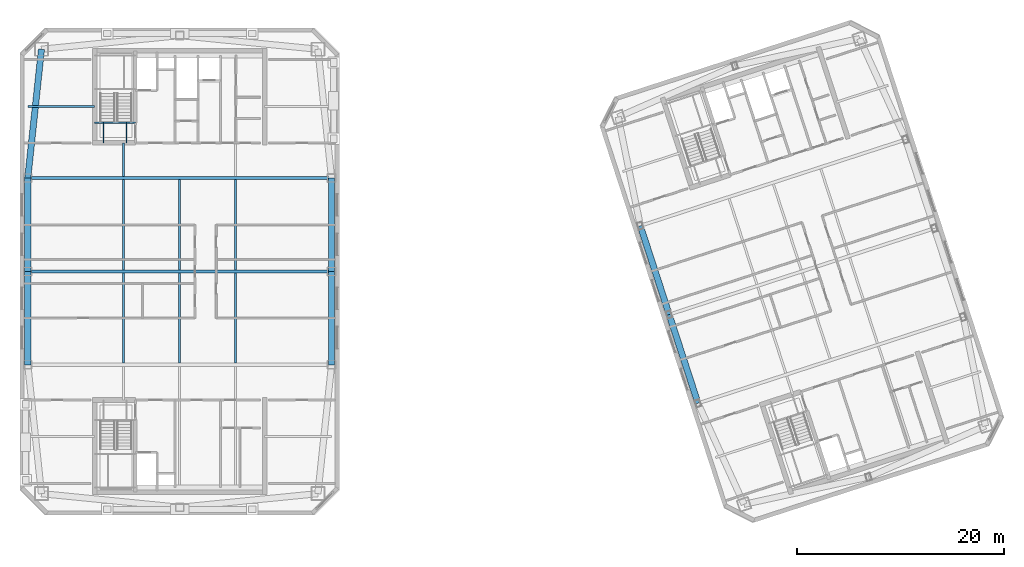
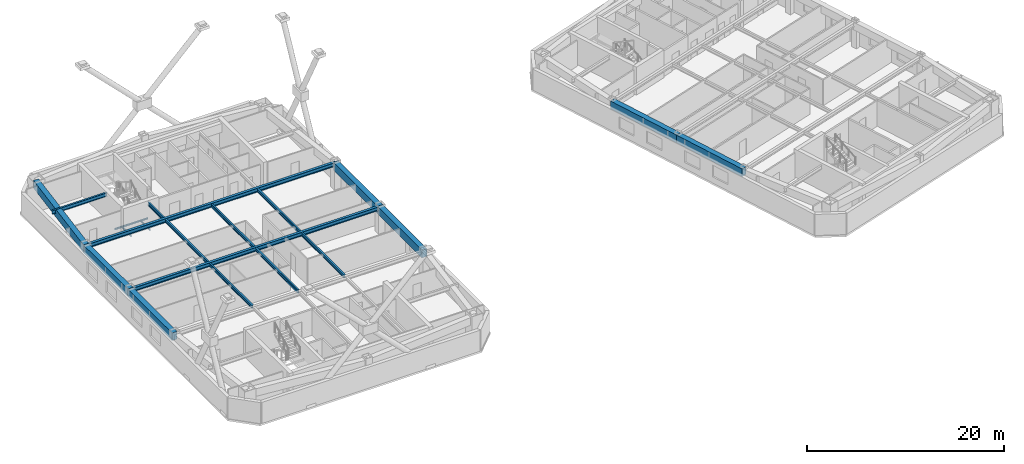
# One storey, part 5 of 20: 20 beams.
"""IFC4 building model written with IfcOpenShell, lengths in metres."""

from ifc_helpers import new_model, si_unit, direction, frame, origin, origin_2d, place, context, subcontext, project, spatial, rectangle, i_section, extrude, material, material_profile, profile_set, type_object, element, save


model = new_model("IFC4")

# Units and contexts
model_context = context("Model", 3, precision=1e-05, world=origin(), true_north=direction((0.0, 1.0)))
body_context = subcontext(model_context, "Body", "Model", "MODEL_VIEW")
ifc_project = project(units=[si_unit("LENGTHUNIT", "METRE"), si_unit("AREAUNIT", "SQUARE_METRE"), si_unit("VOLUMEUNIT", "CUBIC_METRE"), si_unit("PLANEANGLEUNIT", "RADIAN"), si_unit("MASSUNIT", "GRAM", prefix="KILO")], contexts=[model_context])

# Site, building, storey
site_placement = place(None, origin())
site = spatial("IfcSite", under=ifc_project, at=site_placement, CompositionType="ELEMENT")
building_placement = place(site_placement, origin())
building = spatial("IfcBuilding", under=site, at=building_placement, Name="Qiaolan Cultural Towers", CompositionType="ELEMENT")
storey_placement = place(building_placement, frame((0.0, 0.0, 223.10009765625)))
storey = spatial("IfcBuildingStorey", under=building, at=storey_placement, Name="L60", CompositionType="ELEMENT", Elevation=223.10009765625)

# Beams
ifc_material_1 = material(Name="Steel Q355B", Category="steel")
ifc_material_profile_1 = material_profile(ifc_material_1, i_section(OverallWidth=0.300048828125, OverallDepth=0.488037109375, WebThickness=0.010986328125, FlangeThickness=0.01806640625, at=origin_2d()), Name="HM488x300x11x18")
ifc_profile_set_1 = profile_set([ifc_material_profile_1], Name="Steel Q355B")
beam_type_1 = type_object("IfcBeamType", Name="BM-HM488x300x11x18", PredefinedType="BEAM", material=ifc_profile_set_1)
for number, where, z_axis, x_axis, name in (
    (1, (15.35009765625, 34.0, 2.94580078125), (1.0, 0.0, 0.0), (0.0, 1.0, 0.0), "L60 T1 Primary Transverse Girder V2"),
    (2, (15.35009765625, 43.0, 2.94580078125), (1.0, 0.0, 0.0), (0.0, 1.0, 0.0), "L60 T1 Primary Transverse Girder V3"),
):
    element("IfcBeam", number, at=place(storey_placement, frame(where, z_axis=z_axis, x_axis=x_axis)), inside=storey, type_object=beam_type_1, Name=name, PredefinedType="BEAM", context=body_context, shape_type="SweptSolid", body=[
        extrude(i_section(OverallWidth=0.300048828125, OverallDepth=0.488037109375, WebThickness=0.010986328125, FlangeThickness=0.01806640625, at=origin_2d()), origin(), (0.0, 0.0, 1.0), 29.2998046875),
    ])
ifc_material_2 = material(Name="Steel Q355B", Category="steel")
ifc_material_profile_2 = material_profile(ifc_material_2, i_section(OverallWidth=0.199951171875, OverallDepth=0.39990234375, WebThickness=0.008056640625, FlangeThickness=0.012939453125, at=origin_2d()), Name="HN400x200x8x13")
ifc_profile_set_2 = profile_set([ifc_material_profile_2], Name="Steel Q355B")
beam_type_2 = type_object("IfcBeamType", Name="BM-JST-HN400x200x8x13", PredefinedType="JOIST", material=ifc_profile_set_2)
for number, where, z_axis, x_axis, name in (
    (3, (24.60009765625, 25.14990234375, 2.989990234375), (0.0, 1.0, 0.0), (-1.0, 0.0, 0.0), "L60 T1 Secondary Floor Joist U1-2"),
    (4, (24.60009765625, 34.14990234375, 2.989990234375), (0.0, 1.0, 0.0), (-1.0, 0.0, 0.0), "L60 T1 Secondary Floor Joist U1-3"),
):
    element("IfcBeam", number, at=place(storey_placement, frame(where, z_axis=z_axis, x_axis=x_axis)), inside=storey, type_object=beam_type_2, Name=name, PredefinedType="JOIST", context=body_context, shape_type="SweptSolid", body=[
        extrude(i_section(OverallWidth=0.199951171875, OverallDepth=0.39990234375, WebThickness=0.008056640625, FlangeThickness=0.012939453125, at=origin_2d()), origin(), (0.0, 0.0, 1.0), 8.7001953125),
    ])
beam_1_placement = place(storey_placement, frame((24.60009765625, 43.14990234375, 2.989990234375), z_axis=(0.0, 1.0, 0.0), x_axis=(-1.0, 0.0, 0.0)))
element("IfcBeam", 5, at=beam_1_placement, inside=storey, type_object=beam_type_2, Name="L60 T1 Secondary Floor Joist U1-4", PredefinedType="JOIST", context=body_context, shape_type="SweptSolid", body=[
    extrude(i_section(OverallWidth=0.199951171875, OverallDepth=0.39990234375, WebThickness=0.008056640625, FlangeThickness=0.012939453125, at=origin_2d()), origin(), (0.0, 0.0, 1.0), 3.25),
])
for number, where, z_axis, x_axis, name in (
    (6, (30.0, 25.14990234375, 2.989990234375), (0.0, 1.0, 0.0), (-1.0, 0.0, 0.0), "L60 T1 Secondary Floor Joist U2-2"),
    (7, (30.0, 34.14990234375, 2.989990234375), (0.0, 1.0, 0.0), (-1.0, 0.0, 0.0), "L60 T1 Secondary Floor Joist U2-3"),
    (8, (35.39990234375, 25.14990234375, 2.989990234375), (0.0, 1.0, 0.0), (-1.0, 0.0, 0.0), "L60 T1 Secondary Floor Joist U3-2"),
    (9, (35.39990234375, 34.14990234375, 2.989990234375), (0.0, 1.0, 0.0), (-1.0, 0.0, 0.0), "L60 T1 Secondary Floor Joist U3-3"),
):
    element("IfcBeam", number, at=place(storey_placement, frame(where, z_axis=z_axis, x_axis=x_axis)), inside=storey, type_object=beam_type_2, Name=name, PredefinedType="JOIST", context=body_context, shape_type="SweptSolid", body=[
        extrude(i_section(OverallWidth=0.199951171875, OverallDepth=0.39990234375, WebThickness=0.008056640625, FlangeThickness=0.012939453125, at=origin_2d()), origin(), (0.0, 0.0, 1.0), 8.7001953125),
    ])
ifc_material_3 = material(Name="Steel Q355B", Category="steel")
ifc_material_profile_3 = material_profile(ifc_material_3, i_section(OverallWidth=0.199951171875, OverallDepth=0.449951171875, WebThickness=0.009033203125, FlangeThickness=0.013916015625, at=origin_2d()), Name="HN450x200x9x14")
ifc_profile_set_3 = profile_set([ifc_material_profile_3], Name="Steel Q355B")
beam_type_3 = type_object("IfcBeamType", Name="BM-LNT-HN450x200x9x14", PredefinedType="LINTEL", material=ifc_profile_set_3)
beam_2_placement = place(storey_placement, frame((21.800048828125, 49.89990234375, 2.96484375), z_axis=(-1.0, 0.0, 0.0), x_axis=(0.0, -1.0, 0.0)))
element("IfcBeam", 10, at=beam_2_placement, inside=storey, type_object=beam_type_3, Name="L60 T1 Core Flank Tie Lintel WN", PredefinedType="LINTEL", context=body_context, shape_type="SweptSolid", body=[
    extrude(i_section(OverallWidth=0.199951171875, OverallDepth=0.449951171875, WebThickness=0.009033203125, FlangeThickness=0.013916015625, at=origin_2d()), origin(), (0.0, 0.0, 1.0), 6.449951171875),
])
ifc_material_4 = material(Name="Concrete C50", Category="concrete")
ifc_material_profile_4 = material_profile(ifc_material_4, rectangle(XDim=0.60009765625, YDim=0.949951171875, at=origin_2d()), Name="RC600x950")
ifc_profile_set_4 = profile_set([ifc_material_profile_4], Name="Concrete C50")
beam_type_4 = type_object("IfcBeamType", Name="BM-SPD-RC600x950", PredefinedType="SPANDREL", material=ifc_profile_set_4)
for number, where, z_axis, x_axis, name in (
    (11, (44.64990234375, 25.0, 2.71484375), (0.0, 1.0, 0.0), (-1.0, 0.0, 0.0), "L60 T1 Perimeter Spandrel Beam 4"),
    (12, (44.64990234375, 34.0, 2.71484375), (0.0, 1.0, 0.0), (-1.0, 0.0, 0.0), "L60 T1 Perimeter Spandrel Beam 5"),
):
    element("IfcBeam", number, at=place(storey_placement, frame(where, z_axis=z_axis, x_axis=x_axis)), inside=storey, type_object=beam_type_4, Name=name, PredefinedType="SPANDREL", context=body_context, shape_type="SweptSolid", body=[
        extrude(rectangle(XDim=0.60009765625, YDim=0.949951171875, at=origin_2d()), origin(), (0.0, 0.0, 1.0), 9.0),
    ])
beam_3_placement = place(storey_placement, frame((16.669921875, 55.429931640625, 2.71484375), z_axis=(-0.105587580773, -0.994410007384, 0.0), x_axis=(0.994410007384, -0.105587580773, 0.0)))
element("IfcBeam", 13, at=beam_3_placement, inside=storey, type_object=beam_type_4, Name="L60 T1 Perimeter Spandrel Beam 9", PredefinedType="SPANDREL", context=body_context, shape_type="SweptSolid", body=[
    extrude(rectangle(XDim=0.60009765625, YDim=0.949951171875, at=origin_2d()), origin(), (0.0, 0.0, 1.0), 12.499755859375),
])
for number, where, z_axis, x_axis, name in (
    (14, (15.35009765625, 43.0, 2.71484375), (0.0, -1.0, 0.0), (1.0, 0.0, 0.0), "L60 T1 Perimeter Spandrel Beam 10"),
    (15, (15.35009765625, 34.0, 2.71484375), (0.0, -1.0, 0.0), (1.0, 0.0, 0.0), "L60 T1 Perimeter Spandrel Beam 11"),
    (16, (74.42724609375, 38.4033203125, 2.71484375), (0.309000197986, -0.951061973609, 0.0), (0.951061973609, 0.309000197986, 0.0), "L60 T2 Perimeter Spandrel Beam 10"),
    (17, (77.208251953125, 29.84375, 2.71484375), (0.309024734286, -0.951054001411, 0.0), (0.951054001411, 0.309024734286, 0.0), "L60 T2 Perimeter Spandrel Beam 11"),
):
    element("IfcBeam", number, at=place(storey_placement, frame(where, z_axis=z_axis, x_axis=x_axis)), inside=storey, type_object=beam_type_4, Name=name, PredefinedType="SPANDREL", context=body_context, shape_type="SweptSolid", body=[
        extrude(rectangle(XDim=0.60009765625, YDim=0.949951171875, at=origin_2d()), origin(), (0.0, 0.0, 1.0), 9.0),
    ])
ifc_material_5 = material(Name="Steel Q355B", Category="steel")
ifc_material_profile_5 = material_profile(ifc_material_5, i_section(OverallWidth=0.10009765625, OverallDepth=0.199951171875, WebThickness=0.005615234375, FlangeThickness=0.008056640625, at=origin_2d()), Name="HN200x100x5.5x8")
ifc_profile_set_5 = profile_set([ifc_material_profile_5], Name="Steel Q355B")
beam_type_5 = type_object("IfcBeamType", Name="BM-STTRIM-200", PredefinedType="BEAM", material=ifc_profile_set_5)
beam_4_placement = place(storey_placement, frame((21.800048828125, 48.340087890625, -0.460205078125), z_axis=(1.0, 0.0, 0.0), x_axis=(0.0, 1.0, 0.0)))
element("IfcBeam", 18, at=beam_4_placement, inside=storey, type_object=beam_type_5, Name="L60 ST-W2 Floor Landing Header Beam", PredefinedType="BEAM", context=body_context, shape_type="SweptSolid", body=[
    extrude(i_section(OverallWidth=0.10009765625, OverallDepth=0.199951171875, WebThickness=0.005615234375, FlangeThickness=0.008056640625, at=origin_2d()), origin(), (0.0, 0.0, 1.0), 3.919921875),
])
for number, where, z_axis, x_axis, name in (
    (19, (22.64990234375, 46.39990234375, -0.460205078125), (0.0, 1.0, 0.0), (-1.0, 0.0, 0.0), "L60 ST-W2 Floor Landing Stringer 1"),
    (20, (24.85009765625, 46.39990234375, -0.460205078125), (0.0, 1.0, 0.0), (-1.0, 0.0, 0.0), "L60 ST-W2 Floor Landing Stringer 2"),
):
    element("IfcBeam", number, at=place(storey_placement, frame(where, z_axis=z_axis, x_axis=x_axis)), inside=storey, type_object=beam_type_5, Name=name, PredefinedType="BEAM", context=body_context, shape_type="SweptSolid", body=[
        extrude(i_section(OverallWidth=0.10009765625, OverallDepth=0.199951171875, WebThickness=0.005615234375, FlangeThickness=0.008056640625, at=origin_2d()), origin(), (0.0, 0.0, 1.0), 1.940185546875),
    ])

save(model, "model.ifc")
